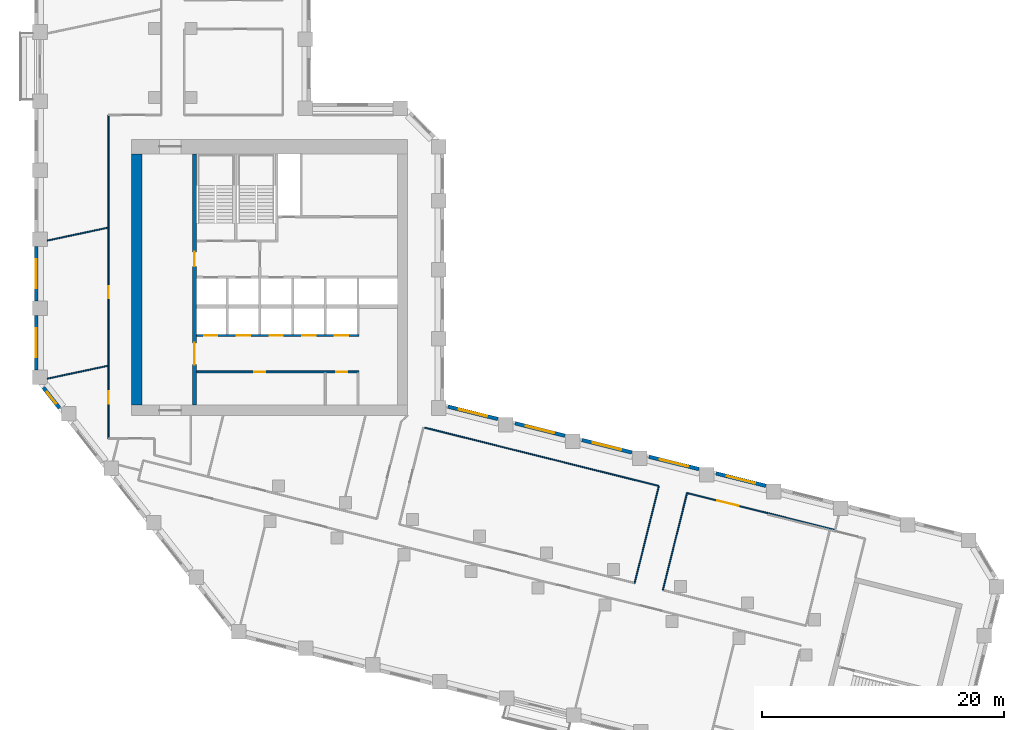
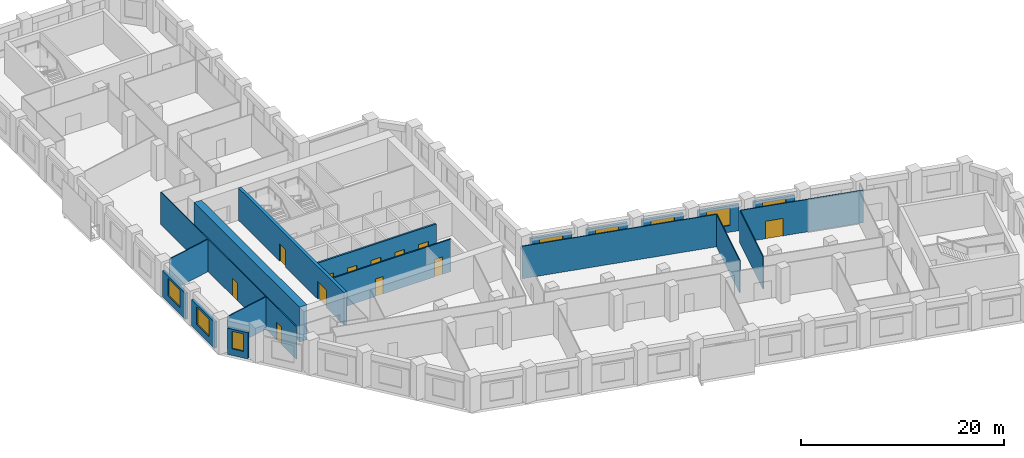
# One storey, part 4 of 10: 19 walls, 12 doors, 8 windows, 20 openings.
"""IFC4 building model written with IfcOpenShell, lengths in metres."""

from ifc_helpers import new_model, si_unit, direction, frame, frame_2d, origin, place, context, subcontext, project, spatial, rectangle, extrude, material, layer, layer_set, type_object, element, fill, save


model = new_model("IFC4")

# Units and contexts
model_context = context("Model", 3, precision=1e-05, world=origin(), true_north=direction((0.0, 1.0)))
body_context = subcontext(model_context, "Body", "Model", "MODEL_VIEW")
ifc_project = project(units=[si_unit("LENGTHUNIT", "METRE"), si_unit("AREAUNIT", "SQUARE_METRE"), si_unit("VOLUMEUNIT", "CUBIC_METRE"), si_unit("PLANEANGLEUNIT", "RADIAN"), si_unit("MASSUNIT", "GRAM", prefix="KILO")], contexts=[model_context])

# Site, building, storey
site_placement = place(None, origin())
site = spatial("IfcSite", under=ifc_project, at=site_placement, CompositionType="ELEMENT")
building_placement = place(site_placement, origin())
building = spatial("IfcBuilding", under=site, at=building_placement, Name="Meshkara Civic Tower", CompositionType="ELEMENT")
storey_placement = place(building_placement, frame((0.0, 0.0, 174.0)))
storey = spatial("IfcBuildingStorey", under=building, at=storey_placement, Name="L39", CompositionType="ELEMENT", Elevation=174.0)

# Wall, openings, doors
ifc_material_1 = material(Name="Blockwork", Category="masonry")
ifc_layer_1 = layer(ifc_material_1, 0.14990234375)
ifc_layer_set_1 = layer_set([ifc_layer_1], Name="Core partition 150")
wall_type_1 = type_object("IfcWallType", Name="Core partition 150", PredefinedType="PARTITIONING", material=ifc_layer_set_1)
wall_1_placement = place(storey_placement, frame((13.3701171875, 17.699951171875, 0.0), z_axis=(0.0, 0.0, 1.0), x_axis=(1.0, 0.0, 0.0)))
wall_1 = element("IfcWall", 1, at=wall_1_placement, inside=storey, type_object=wall_type_1, Name="L39-C005", PredefinedType="PARTITIONING", context=body_context, shape_type="SweptSolid", body=[
    extrude(rectangle(XDim=13.40478515625, YDim=0.14990234375, at=frame_2d((6.702392578125, 0.0))), origin(), (0.0, 0.0, 1.0), 3.89990234375),
])
opening_1_placement = place(wall_1_placement, frame((4.780029296875, 0.0, 0.0)))
opening_1 = element("IfcOpeningElement", 2, at=opening_1_placement, cuts=wall_1, Name="Opening L39-K010", PredefinedType="OPENING", context=body_context, shape_type="SweptSolid", body=[
    extrude(rectangle(XDim=0.89990234375, YDim=2.10009765625, at=frame_2d((0.449951171875, 1.050048828125))), frame((0.0, 0.0849609375, 0.0), z_axis=(0.0, -1.0, 0.0), x_axis=(1.0, 0.0, 0.0)), (0.0, 0.0, 1.0), 0.169921875),
])
opening_2_placement = place(wall_1_placement, frame((11.530029296875, 0.0, 0.0)))
opening_2 = element("IfcOpeningElement", 3, at=opening_2_placement, cuts=wall_1, Name="Opening L39-K011", PredefinedType="OPENING", context=body_context, shape_type="SweptSolid", body=[
    extrude(rectangle(XDim=0.89990234375, YDim=2.10009765625, at=frame_2d((0.449951171875, 1.050048828125))), frame((0.0, 0.0849609375, 0.0), z_axis=(0.0, -1.0, 0.0), x_axis=(1.0, 0.0, 0.0)), (0.0, 0.0, 1.0), 0.169921875),
])
ifc_material_2 = material(Name="Timber door leaf in steel frame", Category="steel")
door_type_1 = type_object("IfcDoorType", Name="Core room door 900", OperationType="SINGLE_SWING_LEFT", PredefinedType="DOOR", material=ifc_material_2)
door_1_placement = place(opening_1_placement, origin())
door_1 = element("IfcDoor", 4, at=door_1_placement, inside=storey, type_object=door_type_1, Name="L39-K010", OperationType="SINGLE_SWING_LEFT", OverallHeight=2.10009765625, OverallWidth=0.89990234375, PredefinedType="DOOR", context=body_context, shape_type="SweptSolid", body=[
    extrude(rectangle(XDim=0.89990234375, YDim=2.10009765625, at=frame_2d((0.449951171875, 1.050048828125))), frame((0.0, 0.02490234375, 0.0), z_axis=(0.0, -1.0, 0.0), x_axis=(1.0, 0.0, 0.0)), (0.0, 0.0, 1.0), 0.050048828125),
])
fill(opening_1, door_1)
door_2_placement = place(opening_2_placement, origin())
door_2 = element("IfcDoor", 5, at=door_2_placement, inside=storey, type_object=door_type_1, Name="L39-K011", OperationType="SINGLE_SWING_LEFT", OverallHeight=2.10009765625, OverallWidth=0.89990234375, PredefinedType="DOOR", context=body_context, shape_type="SweptSolid", body=[
    extrude(rectangle(XDim=0.89990234375, YDim=2.10009765625, at=frame_2d((0.449951171875, 1.050048828125))), frame((0.0, 0.02490234375, 0.0), z_axis=(0.0, -1.0, 0.0), x_axis=(1.0, 0.0, 0.0)), (0.0, 0.0, 1.0), 0.050048828125),
])
fill(opening_2, door_2)

# Wall
ifc_material_3 = material(Name="Concrete C70", Category="concrete")
ifc_layer_2 = layer(ifc_material_3, 0.85009765625)
ifc_layer_set_2 = layer_set([ifc_layer_2], Name="Core ring wall 850 C70")
wall_type_2 = type_object("IfcWallType", Name="Core ring wall 850 C70", PredefinedType="SHEAR", material=ifc_layer_set_2)
wall_2_placement = place(storey_placement, frame((8.425048828125, 14.949951171875, -0.300048828125), z_axis=(0.0, 0.0, 1.0), x_axis=(0.0, 1.0, 0.0)))
element("IfcWall", 6, at=wall_2_placement, inside=storey, type_object=wall_type_2, Name="L39-C003", PredefinedType="SHEAR", context=body_context, shape_type="SweptSolid", body=[
    extrude(rectangle(XDim=20.75, YDim=0.85009765625, at=frame_2d((10.375, 0.0))), origin(), (0.0, 0.0, 1.0), 4.199951171875),
])

# Wall, openings, doors
ifc_material_4 = material(Name="Concrete C70", Category="concrete")
ifc_layer_3 = layer(ifc_material_4, 0.340087890625)
ifc_layer_set_3 = layer_set([ifc_layer_3], Name="Core shear wall 340 C70")
wall_type_3 = type_object("IfcWallType", Name="Core shear wall 340 C70", PredefinedType="SHEAR", material=ifc_layer_set_3)
wall_3_placement = place(storey_placement, frame((13.199951171875, 14.949951171875, 0.0), z_axis=(0.0, 0.0, 1.0), x_axis=(0.0, 1.0, 0.0)))
wall_3 = element("IfcWall", 7, at=wall_3_placement, inside=storey, type_object=wall_type_3, Name="L39-C011", PredefinedType="SHEAR", context=body_context, shape_type="SweptSolid", body=[
    extrude(rectangle(XDim=20.75, YDim=0.340087890625, at=frame_2d((10.375, 0.0))), origin(), (0.0, 0.0, 1.0), 3.89990234375),
])
opening_3_placement = place(wall_3_placement, frame((3.35009765625, 0.0, 0.0)))
opening_3 = element("IfcOpeningElement", 8, at=opening_3_placement, cuts=wall_3, Name="Opening L39-K016", PredefinedType="OPENING", context=body_context, shape_type="SweptSolid", body=[
    extrude(rectangle(XDim=1.800048828125, YDim=2.10009765625, at=frame_2d((0.89990234375, 1.050048828125))), frame((0.0, 0.179931640625, 0.0), z_axis=(0.0, -1.0, 0.0), x_axis=(1.0, 0.0, 0.0)), (0.0, 0.0, 1.0), 0.360107421875),
])
opening_4_placement = place(wall_3_placement, frame((11.449951171875, 0.0, 0.0)))
opening_4 = element("IfcOpeningElement", 9, at=opening_4_placement, cuts=wall_3, Name="Opening L39-K017", PredefinedType="OPENING", context=body_context, shape_type="SweptSolid", body=[
    extrude(rectangle(XDim=1.199951171875, YDim=2.10009765625, at=frame_2d((0.60009765625, 1.050048828125))), frame((0.0, 0.179931640625, 0.0), z_axis=(0.0, -1.0, 0.0), x_axis=(1.0, 0.0, 0.0)), (0.0, 0.0, 1.0), 0.360107421875),
])
ifc_material_5 = material(Name="Fire-rated door leaf in steel frame", Category="steel")
door_type_2 = type_object("IfcDoorType", Name="Core double door 1800 EI 60", OperationType="DOUBLE_DOOR_SINGLE_SWING", PredefinedType="DOOR", material=ifc_material_5)
door_3_placement = place(opening_3_placement, origin())
door_3 = element("IfcDoor", 10, at=door_3_placement, inside=storey, type_object=door_type_2, Name="L39-K016", OperationType="DOUBLE_DOOR_SINGLE_SWING", OverallHeight=2.10009765625, OverallWidth=1.800048828125, PredefinedType="DOOR", context=body_context, shape_type="SweptSolid", body=[
    extrude(rectangle(XDim=1.800048828125, YDim=2.10009765625, at=frame_2d((0.89990234375, 1.050048828125))), frame((0.0, 0.02490234375, 0.0), z_axis=(0.0, -1.0, 0.0), x_axis=(1.0, 0.0, 0.0)), (0.0, 0.0, 1.0), 0.050048828125),
])
fill(opening_3, door_3)
ifc_material_6 = material(Name="Fire-rated door leaf in steel frame", Category="steel")
door_type_3 = type_object("IfcDoorType", Name="Fire-fighting lobby door 1200 EI 120", OperationType="SINGLE_SWING_LEFT", PredefinedType="DOOR", material=ifc_material_6)
door_4_placement = place(opening_4_placement, origin())
door_4 = element("IfcDoor", 11, at=door_4_placement, inside=storey, type_object=door_type_3, Name="L39-K017", OperationType="SINGLE_SWING_LEFT", OverallHeight=2.10009765625, OverallWidth=1.199951171875, PredefinedType="DOOR", context=body_context, shape_type="SweptSolid", body=[
    extrude(rectangle(XDim=1.199951171875, YDim=2.10009765625, at=frame_2d((0.60009765625, 1.050048828125))), frame((0.0, 0.02490234375, 0.0), z_axis=(0.0, -1.0, 0.0), x_axis=(1.0, 0.0, 0.0)), (0.0, 0.0, 1.0), 0.050048828125),
])
fill(opening_4, door_4)

ifc_material_7 = material(Name="Corridor wall 100")
ifc_layer_4 = layer(ifc_material_7, 0.10009765625)
ifc_layer_set_4 = layer_set([ifc_layer_4], Name="Corridor wall 100")
wall_type_4 = type_object("IfcWallType", Name="Corridor wall 100", PredefinedType="PARTITIONING", material=ifc_layer_set_4)
wall_4_placement = place(storey_placement, frame((6.10009765625, 12.199951171875, 0.0), z_axis=(0.0, 0.0, 1.0), x_axis=(0.0, 1.0, 0.0)))
wall_4 = element("IfcWall", 12, at=wall_4_placement, inside=storey, type_object=wall_type_4, Name="L39-W004", PredefinedType="PARTITIONING", context=body_context, shape_type="SweptSolid", body=[
    extrude(rectangle(XDim=26.699951171875, YDim=0.10009765625, at=frame_2d((13.35009765625, 0.0))), origin(), (0.0, 0.0, 1.0), 3.89990234375),
])
opening_5_placement = place(wall_4_placement, frame((2.8798828125, 0.0, 0.0)))
opening_5 = element("IfcOpeningElement", 13, at=opening_5_placement, cuts=wall_4, Name="Opening L39-D014", PredefinedType="OPENING", context=body_context, shape_type="SweptSolid", body=[
    extrude(rectangle(XDim=1.0, YDim=2.10009765625, at=frame_2d((0.5, 1.050048828125))), frame((0.0, 0.06005859375, 0.0), z_axis=(0.0, -1.0, 0.0), x_axis=(1.0, 0.0, 0.0)), (0.0, 0.0, 1.0), 0.1201171875),
])
opening_6_placement = place(wall_4_placement, frame((11.577880859375, 0.0, 0.0)))
opening_6 = element("IfcOpeningElement", 14, at=opening_6_placement, cuts=wall_4, Name="Opening L39-D016", PredefinedType="OPENING", context=body_context, shape_type="SweptSolid", body=[
    extrude(rectangle(XDim=1.0, YDim=2.10009765625, at=frame_2d((0.5, 1.050048828125))), frame((0.0, 0.06005859375, 0.0), z_axis=(0.0, -1.0, 0.0), x_axis=(1.0, 0.0, 0.0)), (0.0, 0.0, 1.0), 0.1201171875),
])
ifc_material_8 = material(Name="Door 1000 x 2100")
door_type_4 = type_object("IfcDoorType", Name="Door 1000 x 2100", OperationType="SINGLE_SWING_LEFT", PredefinedType="DOOR", material=ifc_material_8)
door_5_placement = place(opening_5_placement, origin())
door_5 = element("IfcDoor", 15, at=door_5_placement, inside=storey, type_object=door_type_4, Name="L39-D014", OperationType="SINGLE_SWING_RIGHT", OverallHeight=2.10009765625, OverallWidth=1.0, PredefinedType="DOOR", context=body_context, shape_type="SweptSolid", body=[
    extrude(rectangle(XDim=1.0, YDim=2.10009765625, at=frame_2d((0.5, 1.050048828125))), frame((0.0, 0.02490234375, 0.0), z_axis=(0.0, -1.0, 0.0), x_axis=(1.0, 0.0, 0.0)), (0.0, 0.0, 1.0), 0.050048828125),
])
fill(opening_5, door_5)
door_6_placement = place(opening_6_placement, origin())
door_6 = element("IfcDoor", 16, at=door_6_placement, inside=storey, type_object=door_type_4, Name="L39-D016", OperationType="SINGLE_SWING_RIGHT", OverallHeight=2.10009765625, OverallWidth=1.0, PredefinedType="DOOR", context=body_context, shape_type="SweptSolid", body=[
    extrude(rectangle(XDim=1.0, YDim=2.10009765625, at=frame_2d((0.5, 1.050048828125))), frame((0.0, 0.02490234375, 0.0), z_axis=(0.0, -1.0, 0.0), x_axis=(1.0, 0.0, 0.0)), (0.0, 0.0, 1.0), 0.050048828125),
])
fill(opening_6, door_6)

# Walls
wall_5_placement = place(storey_placement, frame((32.196044921875, 13.10009765625, 0.0), z_axis=(0.0, 0.0, 1.0), x_axis=(0.970300822777, -0.241901453734, 0.0)))
element("IfcWall", 17, at=wall_5_placement, inside=storey, type_object=wall_type_4, Name="L39-W029", PredefinedType="PARTITIONING", context=body_context, shape_type="SweptSolid", body=[
    extrude(rectangle(XDim=19.9296875, YDim=0.10009765625, at=frame_2d((9.96484375, 0.0))), origin(), (0.0, 0.0, 1.0), 3.89990234375),
])
wall_6_placement = place(storey_placement, frame((51.533935546875, 8.279052734375, 0.0), z_axis=(0.0, 0.0, 1.0), x_axis=(-0.241999851509, -0.970276286359, 0.0)))
element("IfcWall", 18, at=wall_6_placement, inside=storey, type_object=wall_type_4, Name="L39-W031", PredefinedType="PARTITIONING", context=body_context, shape_type="SweptSolid", body=[
    extrude(rectangle(XDim=8.25634765625, YDim=0.10009765625, at=frame_2d((4.128173828125, 0.0))), origin(), (0.0, 0.0, 1.0), 3.89990234375),
])
wall_7_placement = place(storey_placement, frame((51.864990234375, -0.31298828125, 0.0), z_axis=(0.0, 0.0, 1.0), x_axis=(0.241888494143, 0.970304053584, 0.0)))
element("IfcWall", 19, at=wall_7_placement, inside=storey, type_object=wall_type_4, Name="L39-W032", PredefinedType="PARTITIONING", context=body_context, shape_type="SweptSolid", body=[
    extrude(rectangle(XDim=8.256103515625, YDim=0.10009765625, at=frame_2d((4.1279296875, 0.0))), origin(), (0.0, 0.0, 1.0), 3.89990234375),
])

# Wall, opening, door
wall_8_placement = place(storey_placement, frame((53.862060546875, 7.697998046875, 0.0), z_axis=(0.0, 0.0, 1.0), x_axis=(0.970293911745, -0.24192917317, 0.0)))
wall_8 = element("IfcWall", 20, at=wall_8_placement, inside=storey, type_object=wall_type_4, Name="L39-W033", PredefinedType="PARTITIONING", context=body_context, shape_type="SweptSolid", body=[
    extrude(rectangle(XDim=12.59912109375, YDim=0.10009765625, at=frame_2d((6.299560546875, 0.0))), origin(), (0.0, 0.0, 1.0), 3.89990234375),
])
opening_7_placement = place(wall_8_placement, frame((2.580078125, 0.0, 0.0)))
opening_7 = element("IfcOpeningElement", 21, at=opening_7_placement, cuts=wall_8, Name="Opening L39-D013", PredefinedType="OPENING", context=body_context, shape_type="SweptSolid", body=[
    extrude(rectangle(XDim=1.800048828125, YDim=2.10009765625, at=frame_2d((0.89990234375, 1.050048828125))), frame((0.0, 0.06005859375, 0.0), z_axis=(0.0, -1.0, 0.0), x_axis=(1.0, 0.0, 0.0)), (0.0, 0.0, 1.0), 0.1201171875),
])
ifc_material_9 = material(Name="Door pair 1800 x 2100")
door_type_5 = type_object("IfcDoorType", Name="Door pair 1800 x 2100", OperationType="SINGLE_SWING_LEFT", PredefinedType="DOOR", material=ifc_material_9)
door_7_placement = place(opening_7_placement, origin())
door_7 = element("IfcDoor", 22, at=door_7_placement, inside=storey, type_object=door_type_5, Name="L39-D013", OperationType="DOUBLE_DOOR_SINGLE_SWING", OverallHeight=2.10009765625, OverallWidth=1.800048828125, PredefinedType="DOOR", context=body_context, shape_type="SweptSolid", body=[
    extrude(rectangle(XDim=1.800048828125, YDim=2.10009765625, at=frame_2d((0.89990234375, 1.050048828125))), frame((0.0, 0.02490234375, 0.0), z_axis=(0.0, -1.0, 0.0), x_axis=(1.0, 0.0, 0.0)), (0.0, 0.0, 1.0), 0.050048828125),
])
fill(opening_7, door_7)

# Wall, opening, window
ifc_material_10 = material(Name="Insulated infill panel with bronze anodised aluminium cladding", Category="aluminium")
ifc_layer_5 = layer(ifc_material_10, 0.300048828125)
ifc_layer_set_5 = layer_set([ifc_layer_5], Name="EXTERNAL INFILL WALL 300")
wall_type_5 = type_object("IfcWallType", Name="EXTERNAL INFILL WALL 300", PredefinedType="SOLIDWALL", material=ifc_layer_set_5)
wall_9_placement = place(storey_placement, frame((60.3701171875, 8.291015625, 0.0), z_axis=(0.0, 0.0, 1.0), x_axis=(-0.970291164166, 0.241940192487, 0.0)))
wall_9 = element("IfcWall", 23, at=wall_9_placement, inside=storey, type_object=wall_type_5, Name="External wall", PredefinedType="SOLIDWALL", context=body_context, shape_type="SweptSolid", body=[
    extrude(rectangle(XDim=4.245361328125, YDim=0.300048828125, at=frame_2d((2.12255859375, 0.0))), origin(), (0.0, 0.0, 1.0), 3.14990234375),
])
opening_8_placement = place(wall_9_placement, frame((0.922119140625, 0.0, 0.800048828125)))
opening_8 = element("IfcOpeningElement", 24, at=opening_8_placement, cuts=wall_9, Name="Opening W7", PredefinedType="OPENING", context=body_context, shape_type="SweptSolid", body=[
    extrude(rectangle(XDim=2.39990234375, YDim=2.10009765625, at=frame_2d((1.199951171875, 1.050048828125))), frame((0.0, 0.159912109375, 0.0), z_axis=(0.0, -1.0, 0.0), x_axis=(1.0, 0.0, 0.0)), (0.0, 0.0, 1.0), 0.320068359375),
])
ifc_material_11 = material(Name="Tinted double glazing", Category="glass")
window_type_1 = type_object("IfcWindowType", Name="WINDOW 2400x2100", PartitioningType="DOUBLE_PANEL_VERTICAL", PredefinedType="WINDOW", material=ifc_material_11)
window_1_placement = place(opening_8_placement, origin())
window_1 = element("IfcWindow", 25, at=window_1_placement, inside=storey, type_object=window_type_1, Name="Window", OverallHeight=2.10009765625, OverallWidth=2.39990234375, PartitioningType="DOUBLE_PANEL_VERTICAL", PredefinedType="WINDOW", context=body_context, shape_type="SweptSolid", body=[
    extrude(rectangle(XDim=2.39990234375, YDim=2.10009765625, at=frame_2d((1.199951171875, 1.050048828125))), frame((0.0, 0.030029296875, 0.0), z_axis=(0.0, -1.0, 0.0), x_axis=(1.0, 0.0, 0.0)), (0.0, 0.0, 1.0), 0.06005859375),
])
fill(opening_8, window_1)

wall_10_placement = place(storey_placement, frame((54.840087890625, 9.669921875, 0.0), z_axis=(0.0, 0.0, 1.0), x_axis=(-0.97030462482, 0.241886202691, 0.0)))
wall_10 = element("IfcWall", 26, at=wall_10_placement, inside=storey, type_object=wall_type_5, Name="External wall", PredefinedType="SOLIDWALL", context=body_context, shape_type="SweptSolid", body=[
    extrude(rectangle(XDim=4.24609375, YDim=0.300048828125, at=frame_2d((2.123046875, 0.0))), origin(), (0.0, 0.0, 1.0), 3.14990234375),
])
opening_9_placement = place(wall_10_placement, frame((0.923095703125, 0.0, 0.800048828125)))
opening_9 = element("IfcOpeningElement", 27, at=opening_9_placement, cuts=wall_10, Name="Opening W7", PredefinedType="OPENING", context=body_context, shape_type="SweptSolid", body=[
    extrude(rectangle(XDim=2.39990234375, YDim=2.10009765625, at=frame_2d((1.199951171875, 1.050048828125))), frame((0.0, 0.159912109375, 0.0), z_axis=(0.0, -1.0, 0.0), x_axis=(1.0, 0.0, 0.0)), (0.0, 0.0, 1.0), 0.320068359375),
])
window_2_placement = place(opening_9_placement, origin())
window_2 = element("IfcWindow", 28, at=window_2_placement, inside=storey, type_object=window_type_1, Name="Window", OverallHeight=2.10009765625, OverallWidth=2.39990234375, PartitioningType="DOUBLE_PANEL_VERTICAL", PredefinedType="WINDOW", context=body_context, shape_type="SweptSolid", body=[
    extrude(rectangle(XDim=2.39990234375, YDim=2.10009765625, at=frame_2d((1.199951171875, 1.050048828125))), frame((0.0, 0.030029296875, 0.0), z_axis=(0.0, -1.0, 0.0), x_axis=(1.0, 0.0, 0.0)), (0.0, 0.0, 1.0), 0.06005859375),
])
fill(opening_9, window_2)

wall_11_placement = place(storey_placement, frame((49.30908203125, 11.049072265625, 0.0), z_axis=(0.0, 0.0, 1.0), x_axis=(-0.970264129329, 0.242048588793, 0.0)))
wall_11 = element("IfcWall", 29, at=wall_11_placement, inside=storey, type_object=wall_type_5, Name="External wall", PredefinedType="SOLIDWALL", context=body_context, shape_type="SweptSolid", body=[
    extrude(rectangle(XDim=4.246337890625, YDim=0.300048828125, at=frame_2d((2.123046875, 0.0))), origin(), (0.0, 0.0, 1.0), 3.14990234375),
])
opening_10_placement = place(wall_11_placement, frame((0.923095703125, 0.0, 0.800048828125)))
opening_10 = element("IfcOpeningElement", 30, at=opening_10_placement, cuts=wall_11, Name="Opening W7", PredefinedType="OPENING", context=body_context, shape_type="SweptSolid", body=[
    extrude(rectangle(XDim=2.39990234375, YDim=2.10009765625, at=frame_2d((1.199951171875, 1.050048828125))), frame((0.0, 0.159912109375, 0.0), z_axis=(0.0, -1.0, 0.0), x_axis=(1.0, 0.0, 0.0)), (0.0, 0.0, 1.0), 0.320068359375),
])
window_3_placement = place(opening_10_placement, origin())
window_3 = element("IfcWindow", 31, at=window_3_placement, inside=storey, type_object=window_type_1, Name="Window", OverallHeight=2.10009765625, OverallWidth=2.39990234375, PartitioningType="DOUBLE_PANEL_VERTICAL", PredefinedType="WINDOW", context=body_context, shape_type="SweptSolid", body=[
    extrude(rectangle(XDim=2.39990234375, YDim=2.10009765625, at=frame_2d((1.199951171875, 1.050048828125))), frame((0.0, 0.030029296875, 0.0), z_axis=(0.0, -1.0, 0.0), x_axis=(1.0, 0.0, 0.0)), (0.0, 0.0, 1.0), 0.06005859375),
])
fill(opening_10, window_3)

wall_12_placement = place(storey_placement, frame((43.778076171875, 12.427978515625, 0.0), z_axis=(0.0, 0.0, 1.0), x_axis=(-0.970291164166, 0.241940192487, 0.0)))
wall_12 = element("IfcWall", 32, at=wall_12_placement, inside=storey, type_object=wall_type_5, Name="External wall", PredefinedType="SOLIDWALL", context=body_context, shape_type="SweptSolid", body=[
    extrude(rectangle(XDim=4.245361328125, YDim=0.300048828125, at=frame_2d((2.12255859375, 0.0))), origin(), (0.0, 0.0, 1.0), 3.14990234375),
])
opening_11_placement = place(wall_12_placement, frame((0.922119140625, 0.0, 0.800048828125)))
opening_11 = element("IfcOpeningElement", 33, at=opening_11_placement, cuts=wall_12, Name="Opening W7", PredefinedType="OPENING", context=body_context, shape_type="SweptSolid", body=[
    extrude(rectangle(XDim=2.39990234375, YDim=2.10009765625, at=frame_2d((1.199951171875, 1.050048828125))), frame((0.0, 0.159912109375, 0.0), z_axis=(0.0, -1.0, 0.0), x_axis=(1.0, 0.0, 0.0)), (0.0, 0.0, 1.0), 0.320068359375),
])
window_4_placement = place(opening_11_placement, origin())
window_4 = element("IfcWindow", 34, at=window_4_placement, inside=storey, type_object=window_type_1, Name="Window", OverallHeight=2.10009765625, OverallWidth=2.39990234375, PartitioningType="DOUBLE_PANEL_VERTICAL", PredefinedType="WINDOW", context=body_context, shape_type="SweptSolid", body=[
    extrude(rectangle(XDim=2.39990234375, YDim=2.10009765625, at=frame_2d((1.199951171875, 1.050048828125))), frame((0.0, 0.030029296875, 0.0), z_axis=(0.0, -1.0, 0.0), x_axis=(1.0, 0.0, 0.0)), (0.0, 0.0, 1.0), 0.06005859375),
])
fill(opening_11, window_4)

wall_13_placement = place(storey_placement, frame((38.248046875, 13.806884765625, 0.0), z_axis=(0.0, 0.0, 1.0), x_axis=(-0.970250625545, 0.242102712975, 0.0)))
wall_13 = element("IfcWall", 35, at=wall_13_placement, inside=storey, type_object=wall_type_5, Name="External wall", PredefinedType="SOLIDWALL", context=body_context, shape_type="SweptSolid", body=[
    extrude(rectangle(XDim=4.246337890625, YDim=0.300048828125, at=frame_2d((2.123046875, 0.0))), origin(), (0.0, 0.0, 1.0), 3.14990234375),
])
opening_12_placement = place(wall_13_placement, frame((0.923095703125, 0.0, 0.800048828125)))
opening_12 = element("IfcOpeningElement", 36, at=opening_12_placement, cuts=wall_13, Name="Opening W7", PredefinedType="OPENING", context=body_context, shape_type="SweptSolid", body=[
    extrude(rectangle(XDim=2.39990234375, YDim=2.10009765625, at=frame_2d((1.199951171875, 1.050048828125))), frame((0.0, 0.159912109375, 0.0), z_axis=(0.0, -1.0, 0.0), x_axis=(1.0, 0.0, 0.0)), (0.0, 0.0, 1.0), 0.320068359375),
])
window_5_placement = place(opening_12_placement, origin())
window_5 = element("IfcWindow", 37, at=window_5_placement, inside=storey, type_object=window_type_1, Name="Window", OverallHeight=2.10009765625, OverallWidth=2.39990234375, PartitioningType="DOUBLE_PANEL_VERTICAL", PredefinedType="WINDOW", context=body_context, shape_type="SweptSolid", body=[
    extrude(rectangle(XDim=2.39990234375, YDim=2.10009765625, at=frame_2d((1.199951171875, 1.050048828125))), frame((0.0, 0.030029296875, 0.0), z_axis=(0.0, -1.0, 0.0), x_axis=(1.0, 0.0, 0.0)), (0.0, 0.0, 1.0), 0.06005859375),
])
fill(opening_12, window_5)

wall_14_placement = place(storey_placement, frame((0.14990234375, 28.054931640625, 0.0), z_axis=(0.0, 0.0, 1.0), x_axis=(0.0, -1.0, 0.0)))
wall_14 = element("IfcWall", 38, at=wall_14_placement, inside=storey, type_object=wall_type_5, Name="External wall", PredefinedType="SOLIDWALL", context=body_context, shape_type="SweptSolid", body=[
    extrude(rectangle(XDim=4.5, YDim=0.300048828125, at=frame_2d((2.25, 0.0))), origin(), (0.0, 0.0, 1.0), 3.14990234375),
])
opening_13_placement = place(wall_14_placement, frame((1.050048828125, 0.0, 0.800048828125)))
opening_13 = element("IfcOpeningElement", 39, at=opening_13_placement, cuts=wall_14, Name="Opening W7", PredefinedType="OPENING", context=body_context, shape_type="SweptSolid", body=[
    extrude(rectangle(XDim=2.39990234375, YDim=2.10009765625, at=frame_2d((1.199951171875, 1.050048828125))), frame((0.0, 0.159912109375, 0.0), z_axis=(0.0, -1.0, 0.0), x_axis=(1.0, 0.0, 0.0)), (0.0, 0.0, 1.0), 0.320068359375),
])
window_6_placement = place(opening_13_placement, origin())
window_6 = element("IfcWindow", 40, at=window_6_placement, inside=storey, type_object=window_type_1, Name="Window", OverallHeight=2.10009765625, OverallWidth=2.39990234375, PartitioningType="DOUBLE_PANEL_VERTICAL", PredefinedType="WINDOW", context=body_context, shape_type="SweptSolid", body=[
    extrude(rectangle(XDim=2.39990234375, YDim=2.10009765625, at=frame_2d((1.199951171875, 1.050048828125))), frame((0.0, 0.030029296875, 0.0), z_axis=(0.0, -1.0, 0.0), x_axis=(1.0, 0.0, 0.0)), (0.0, 0.0, 1.0), 0.06005859375),
])
fill(opening_13, window_6)

wall_15_placement = place(storey_placement, frame((0.14990234375, 22.35498046875, 0.0), z_axis=(0.0, 0.0, 1.0), x_axis=(0.0, -1.0, 0.0)))
wall_15 = element("IfcWall", 41, at=wall_15_placement, inside=storey, type_object=wall_type_5, Name="External wall", PredefinedType="SOLIDWALL", context=body_context, shape_type="SweptSolid", body=[
    extrude(rectangle(XDim=4.5, YDim=0.300048828125, at=frame_2d((2.25, 0.0))), origin(), (0.0, 0.0, 1.0), 3.14990234375),
])
opening_14_placement = place(wall_15_placement, frame((1.050048828125, 0.0, 0.800048828125)))
opening_14 = element("IfcOpeningElement", 42, at=opening_14_placement, cuts=wall_15, Name="Opening W7", PredefinedType="OPENING", context=body_context, shape_type="SweptSolid", body=[
    extrude(rectangle(XDim=2.39990234375, YDim=2.10009765625, at=frame_2d((1.199951171875, 1.050048828125))), frame((0.0, 0.159912109375, 0.0), z_axis=(0.0, -1.0, 0.0), x_axis=(1.0, 0.0, 0.0)), (0.0, 0.0, 1.0), 0.320068359375),
])
window_7_placement = place(opening_14_placement, origin())
window_7 = element("IfcWindow", 43, at=window_7_placement, inside=storey, type_object=window_type_1, Name="Window", OverallHeight=2.10009765625, OverallWidth=2.39990234375, PartitioningType="DOUBLE_PANEL_VERTICAL", PredefinedType="WINDOW", context=body_context, shape_type="SweptSolid", body=[
    extrude(rectangle(XDim=2.39990234375, YDim=2.10009765625, at=frame_2d((1.199951171875, 1.050048828125))), frame((0.0, 0.030029296875, 0.0), z_axis=(0.0, -1.0, 0.0), x_axis=(1.0, 0.0, 0.0)), (0.0, 0.0, 1.0), 0.06005859375),
])
fill(opening_14, window_7)

wall_16_placement = place(storey_placement, frame((0.73193359375, 16.406982421875, 0.0), z_axis=(0.0, 0.0, 1.0), x_axis=(0.615593496459, -0.788063859797, 0.0)))
wall_16 = element("IfcWall", 44, at=wall_16_placement, inside=storey, type_object=wall_type_5, Name="External wall", PredefinedType="SOLIDWALL", context=body_context, shape_type="SweptSolid", body=[
    extrude(rectangle(XDim=2.156005859375, YDim=0.300048828125, at=frame_2d((1.078125, 0.0))), origin(), (0.0, 0.0, 1.0), 3.14990234375),
])
opening_15_placement = place(wall_16_placement, frame((0.47802734375, 0.0, 0.800048828125)))
opening_15 = element("IfcOpeningElement", 45, at=opening_15_placement, cuts=wall_16, Name="Opening W3", PredefinedType="OPENING", context=body_context, shape_type="SweptSolid", body=[
    extrude(rectangle(XDim=1.199951171875, YDim=2.10009765625, at=frame_2d((0.60009765625, 1.050048828125))), frame((0.0, 0.159912109375, 0.0), z_axis=(0.0, -1.0, 0.0), x_axis=(1.0, 0.0, 0.0)), (0.0, 0.0, 1.0), 0.320068359375),
])
ifc_material_12 = material(Name="Tinted double glazing", Category="glass")
window_type_2 = type_object("IfcWindowType", Name="WINDOW 1200x2100", PartitioningType="SINGLE_PANEL", PredefinedType="WINDOW", material=ifc_material_12)
window_8_placement = place(opening_15_placement, origin())
window_8 = element("IfcWindow", 46, at=window_8_placement, inside=storey, type_object=window_type_2, Name="Window", OverallHeight=2.10009765625, OverallWidth=1.199951171875, PartitioningType="SINGLE_PANEL", PredefinedType="WINDOW", context=body_context, shape_type="SweptSolid", body=[
    extrude(rectangle(XDim=1.199951171875, YDim=2.10009765625, at=frame_2d((0.60009765625, 1.050048828125))), frame((0.0, 0.030029296875, 0.0), z_axis=(0.0, -1.0, 0.0), x_axis=(1.0, 0.0, 0.0)), (0.0, 0.0, 1.0), 0.06005859375),
])
fill(opening_15, window_8)

# Walls
ifc_material_13 = material(Name="Partition 100")
ifc_layer_6 = layer(ifc_material_13, 0.10009765625)
ifc_layer_set_6 = layer_set([ifc_layer_6], Name="Partition 100")
wall_type_6 = type_object("IfcWallType", Name="Partition 100", PredefinedType="PARTITIONING", material=ifc_layer_set_6)
wall_17_placement = place(storey_placement, frame((6.0400390625, 18.197998046875, 0.0), z_axis=(0.0, 0.0, 1.0), x_axis=(-0.978171377098, -0.20779980035, 0.0)))
element("IfcWall", 47, at=wall_17_placement, inside=storey, type_object=wall_type_6, Name="L39-W045", PredefinedType="PARTITIONING", context=body_context, shape_type="SweptSolid", body=[
    extrude(rectangle(XDim=5.101318359375, YDim=0.10009765625, at=frame_2d((2.55078125, 0.0))), origin(), (0.0, 0.0, 1.0), 3.89990234375),
])
wall_18_placement = place(storey_placement, frame((6.0400390625, 29.597900390625, 0.0), z_axis=(0.0, 0.0, 1.0), x_axis=(-0.978142184873, -0.207937168808, 0.0)))
element("IfcWall", 48, at=wall_18_placement, inside=storey, type_object=wall_type_6, Name="L39-W046", PredefinedType="PARTITIONING", context=body_context, shape_type="SweptSolid", body=[
    extrude(rectangle(XDim=5.1015625, YDim=0.10009765625, at=frame_2d((2.55078125, 0.0))), origin(), (0.0, 0.0, 1.0), 3.89990234375),
])

# Wall, openings, doors
ifc_material_14 = material(Name="Concrete C40/50", Category="concrete")
ifc_layer_7 = layer(ifc_material_14, 0.199951171875)
ifc_layer_set_7 = layer_set([ifc_layer_7], Name="Shaft wall 200 C40/50")
wall_type_7 = type_object("IfcWallType", Name="Shaft wall 200 C40/50", PredefinedType="SOLIDWALL", material=ifc_layer_set_7)
wall_19_placement = place(storey_placement, frame((13.3701171875, 20.699951171875, 0.0), z_axis=(0.0, 0.0, 1.0), x_axis=(1.0, 0.0, 0.0)))
wall_19 = element("IfcWall", 49, at=wall_19_placement, inside=storey, type_object=wall_type_7, Name="L39-C006", PredefinedType="SOLIDWALL", context=body_context, shape_type="SweptSolid", body=[
    extrude(rectangle(XDim=13.429931640625, YDim=0.199951171875, at=frame_2d((6.71484375, 0.0))), origin(), (0.0, 0.0, 1.0), 3.89990234375),
])
opening_16_placement = place(wall_19_placement, frame((0.6298828125, 0.0, 0.0)))
opening_16 = element("IfcOpeningElement", 50, at=opening_16_placement, cuts=wall_19, Name="Opening L39-K001", PredefinedType="OPENING", context=body_context, shape_type="SweptSolid", body=[
    extrude(rectangle(XDim=1.10009765625, YDim=2.10009765625, at=frame_2d((0.550048828125, 1.050048828125))), frame((0.0, 0.10986328125, 0.0), z_axis=(0.0, -1.0, 0.0), x_axis=(1.0, 0.0, 0.0)), (0.0, 0.0, 1.0), 0.219970703125),
])
opening_17_placement = place(wall_19_placement, frame((3.330078125, 0.0, 0.0)))
opening_17 = element("IfcOpeningElement", 51, at=opening_17_placement, cuts=wall_19, Name="Opening L39-K002", PredefinedType="OPENING", context=body_context, shape_type="SweptSolid", body=[
    extrude(rectangle(XDim=1.10009765625, YDim=2.10009765625, at=frame_2d((0.550048828125, 1.050048828125))), frame((0.0, 0.10986328125, 0.0), z_axis=(0.0, -1.0, 0.0), x_axis=(1.0, 0.0, 0.0)), (0.0, 0.0, 1.0), 0.219970703125),
])
opening_18_placement = place(wall_19_placement, frame((6.030029296875, 0.0, 0.0)))
opening_18 = element("IfcOpeningElement", 52, at=opening_18_placement, cuts=wall_19, Name="Opening L39-K003", PredefinedType="OPENING", context=body_context, shape_type="SweptSolid", body=[
    extrude(rectangle(XDim=1.10009765625, YDim=2.10009765625, at=frame_2d((0.550048828125, 1.050048828125))), frame((0.0, 0.10986328125, 0.0), z_axis=(0.0, -1.0, 0.0), x_axis=(1.0, 0.0, 0.0)), (0.0, 0.0, 1.0), 0.219970703125),
])
opening_19_placement = place(wall_19_placement, frame((8.72998046875, 0.0, 0.0)))
opening_19 = element("IfcOpeningElement", 53, at=opening_19_placement, cuts=wall_19, Name="Opening L39-K004", PredefinedType="OPENING", context=body_context, shape_type="SweptSolid", body=[
    extrude(rectangle(XDim=1.10009765625, YDim=2.10009765625, at=frame_2d((0.550048828125, 1.050048828125))), frame((0.0, 0.10986328125, 0.0), z_axis=(0.0, -1.0, 0.0), x_axis=(1.0, 0.0, 0.0)), (0.0, 0.0, 1.0), 0.219970703125),
])
opening_20_placement = place(wall_19_placement, frame((11.429931640625, 0.0, 0.0)))
opening_20 = element("IfcOpeningElement", 54, at=opening_20_placement, cuts=wall_19, Name="Opening L39-K005", PredefinedType="OPENING", context=body_context, shape_type="SweptSolid", body=[
    extrude(rectangle(XDim=1.10009765625, YDim=2.10009765625, at=frame_2d((0.550048828125, 1.050048828125))), frame((0.0, 0.10986328125, 0.0), z_axis=(0.0, -1.0, 0.0), x_axis=(1.0, 0.0, 0.0)), (0.0, 0.0, 1.0), 0.219970703125),
])
ifc_material_15 = material(Name="Stainless steel landing door", Category="steel")
door_type_6 = type_object("IfcDoorType", Name="Lift landing door 1100", OperationType="SLIDING_TO_LEFT", PredefinedType="DOOR", material=ifc_material_15)
door_8_placement = place(opening_16_placement, origin())
door_8 = element("IfcDoor", 55, at=door_8_placement, inside=storey, type_object=door_type_6, Name="L39-K001", OperationType="SLIDING_TO_LEFT", OverallHeight=2.10009765625, OverallWidth=1.10009765625, PredefinedType="DOOR", context=body_context, shape_type="SweptSolid", body=[
    extrude(rectangle(XDim=1.10009765625, YDim=2.10009765625, at=frame_2d((0.550048828125, 1.050048828125))), frame((0.0, 0.02490234375, 0.0), z_axis=(0.0, -1.0, 0.0), x_axis=(1.0, 0.0, 0.0)), (0.0, 0.0, 1.0), 0.050048828125),
])
fill(opening_16, door_8)
door_9_placement = place(opening_17_placement, origin())
door_9 = element("IfcDoor", 56, at=door_9_placement, inside=storey, type_object=door_type_6, Name="L39-K002", OperationType="SLIDING_TO_LEFT", OverallHeight=2.10009765625, OverallWidth=1.10009765625, PredefinedType="DOOR", context=body_context, shape_type="SweptSolid", body=[
    extrude(rectangle(XDim=1.10009765625, YDim=2.10009765625, at=frame_2d((0.550048828125, 1.050048828125))), frame((0.0, 0.02490234375, 0.0), z_axis=(0.0, -1.0, 0.0), x_axis=(1.0, 0.0, 0.0)), (0.0, 0.0, 1.0), 0.050048828125),
])
fill(opening_17, door_9)
door_10_placement = place(opening_18_placement, origin())
door_10 = element("IfcDoor", 57, at=door_10_placement, inside=storey, type_object=door_type_6, Name="L39-K003", OperationType="SLIDING_TO_LEFT", OverallHeight=2.10009765625, OverallWidth=1.10009765625, PredefinedType="DOOR", context=body_context, shape_type="SweptSolid", body=[
    extrude(rectangle(XDim=1.10009765625, YDim=2.10009765625, at=frame_2d((0.550048828125, 1.050048828125))), frame((0.0, 0.02490234375, 0.0), z_axis=(0.0, -1.0, 0.0), x_axis=(1.0, 0.0, 0.0)), (0.0, 0.0, 1.0), 0.050048828125),
])
fill(opening_18, door_10)
door_11_placement = place(opening_19_placement, origin())
door_11 = element("IfcDoor", 58, at=door_11_placement, inside=storey, type_object=door_type_6, Name="L39-K004", OperationType="SLIDING_TO_LEFT", OverallHeight=2.10009765625, OverallWidth=1.10009765625, PredefinedType="DOOR", context=body_context, shape_type="SweptSolid", body=[
    extrude(rectangle(XDim=1.10009765625, YDim=2.10009765625, at=frame_2d((0.550048828125, 1.050048828125))), frame((0.0, 0.02490234375, 0.0), z_axis=(0.0, -1.0, 0.0), x_axis=(1.0, 0.0, 0.0)), (0.0, 0.0, 1.0), 0.050048828125),
])
fill(opening_19, door_11)
door_12_placement = place(opening_20_placement, origin())
door_12 = element("IfcDoor", 59, at=door_12_placement, inside=storey, type_object=door_type_6, Name="L39-K005", OperationType="SLIDING_TO_LEFT", OverallHeight=2.10009765625, OverallWidth=1.10009765625, PredefinedType="DOOR", context=body_context, shape_type="SweptSolid", body=[
    extrude(rectangle(XDim=1.10009765625, YDim=2.10009765625, at=frame_2d((0.550048828125, 1.050048828125))), frame((0.0, 0.02490234375, 0.0), z_axis=(0.0, -1.0, 0.0), x_axis=(1.0, 0.0, 0.0)), (0.0, 0.0, 1.0), 0.050048828125),
])
fill(opening_20, door_12)

save(model, "model.ifc")
